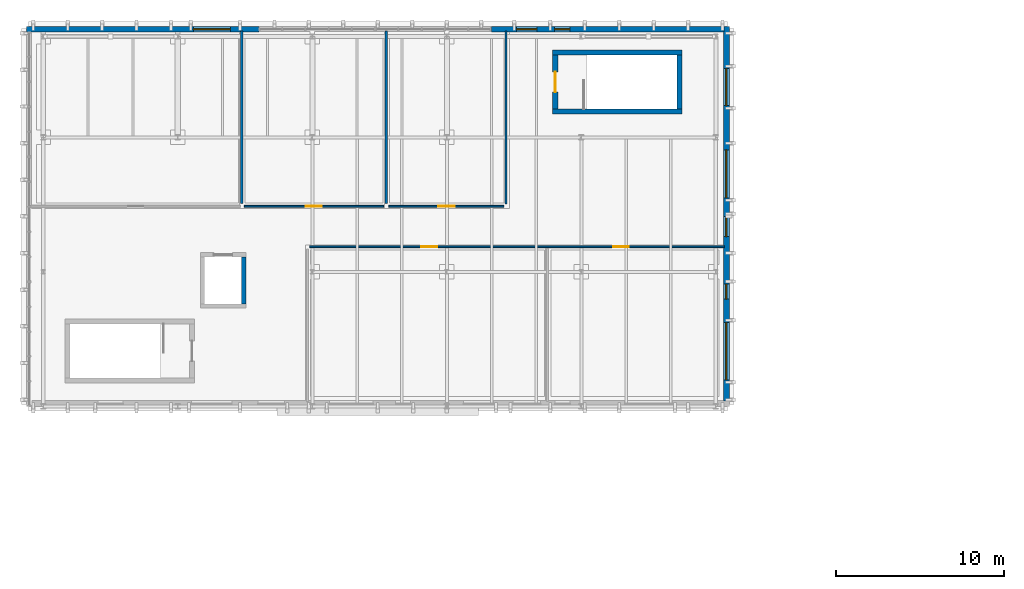
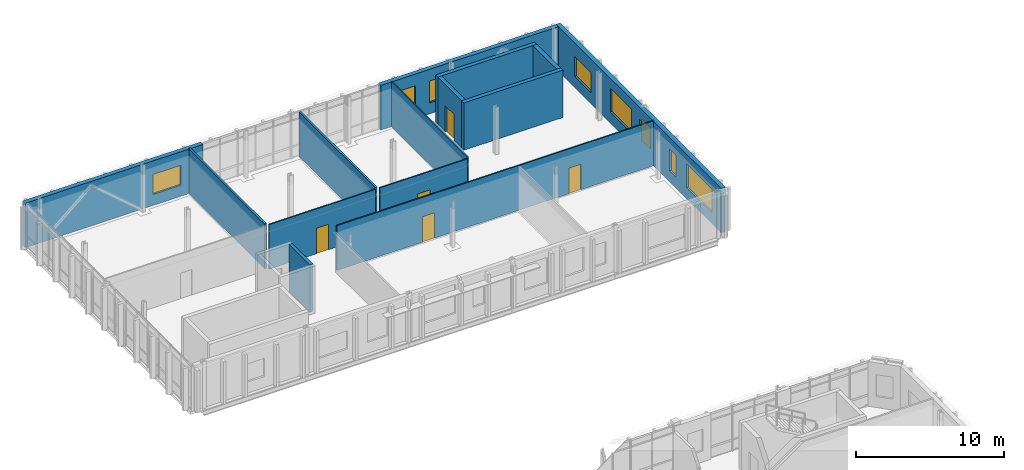
# One storey, part 28 of 40: 14 walls, 8 windows, 5 doors, 13 openings.
"""IFC4 building model written with IfcOpenShell, lengths in metres."""

from ifc_helpers import new_model, si_unit, direction, frame, frame_2d, origin, place, context, subcontext, project, spatial, rectangle, extrude, material, layer, layer_set, type_object, element, fill, save


model = new_model("IFC4")

# Units and contexts
model_context = context("Model", 3, precision=1e-05, world=origin(), true_north=direction((0.0, 1.0)))
body_context = subcontext(model_context, "Body", "Model", "MODEL_VIEW")
ifc_project = project(units=[si_unit("LENGTHUNIT", "METRE"), si_unit("AREAUNIT", "SQUARE_METRE"), si_unit("VOLUMEUNIT", "CUBIC_METRE"), si_unit("PLANEANGLEUNIT", "RADIAN"), si_unit("MASSUNIT", "GRAM", prefix="KILO")], contexts=[model_context])

# Site, building, storey
site_placement = place(None, origin())
site = spatial("IfcSite", under=ifc_project, at=site_placement, CompositionType="ELEMENT")
building_placement = place(site_placement, origin())
building = spatial("IfcBuilding", under=site, at=building_placement, Name="Cymarion Research Institute", CompositionType="ELEMENT")
storey_placement = place(building_placement, frame((0.0, 0.0, 26.699951171875)))
storey = spatial("IfcBuildingStorey", under=building, at=storey_placement, Name="L06", CompositionType="ELEMENT", Elevation=26.699951171875)

# Wall, openings, windows
ifc_material_1 = material(Name="Precast concrete C40/50", Category="concrete")
ifc_layer_1 = layer(ifc_material_1, 0.340087890625)
ifc_layer_set_1 = layer_set([ifc_layer_1], Name="Precast concrete C40/50")
wall_type_1 = type_object("IfcWallType", Name="EXTERIOR WALL EW-PC340 340MM", PredefinedType="SOLIDWALL", material=ifc_layer_set_1)
wall_1_placement = place(storey_placement, frame((47.22998046875, 93.822021484375, 0.0), z_axis=(0.0, 0.0, 1.0), x_axis=(0.0, 1.0, 0.0)))
wall_1 = element("IfcWall", 1, at=wall_1_placement, inside=storey, type_object=wall_type_1, Name="L06 V5 exterior wall EW-PC340 #271", PredefinedType="SOLIDWALL", context=body_context, shape_type="SweptSolid", body=[
    extrude(rectangle(XDim=22.278076171875, YDim=0.340087890625, at=frame_2d((11.13916015625, 0.0))), origin(), (0.0, 0.0, 1.0), 3.66015625),
])
opening_1_placement = place(wall_1_placement, frame((1.259033203125, 0.0, 0.89990234375)))
opening_1 = element("IfcOpeningElement", 2, at=opening_1_placement, cuts=wall_1, Name="Opening W26", PredefinedType="OPENING", context=body_context, shape_type="SweptSolid", body=[
    extrude(rectangle(XDim=3.39990234375, YDim=1.949951171875, at=frame_2d((1.699951171875, 0.97509765625))), frame((0.0, 0.179931640625, 0.0), z_axis=(0.0, -1.0, 0.0), x_axis=(1.0, 0.0, 0.0)), (0.0, 0.0, 1.0), 0.360107421875),
])
opening_2_placement = place(wall_1_placement, frame((6.05810546875, 0.0, 0.89990234375)))
opening_2 = element("IfcOpeningElement", 3, at=opening_2_placement, cuts=wall_1, Name="Opening W24", PredefinedType="OPENING", context=body_context, shape_type="SweptSolid", body=[
    extrude(rectangle(XDim=0.89990234375, YDim=1.800048828125, at=frame_2d((0.449951171875, 0.89990234375))), frame((0.0, 0.179931640625, 0.0), z_axis=(0.0, -1.0, 0.0), x_axis=(1.0, 0.0, 0.0)), (0.0, 0.0, 1.0), 0.360107421875),
])
opening_3_placement = place(wall_1_placement, frame((9.778076171875, 0.0, 0.89990234375)))
opening_3 = element("IfcOpeningElement", 4, at=opening_3_placement, cuts=wall_1, Name="Opening W01", PredefinedType="OPENING", context=body_context, shape_type="SweptSolid", body=[
    extrude(rectangle(XDim=1.199951171875, YDim=1.800048828125, at=frame_2d((0.60009765625, 0.89990234375))), frame((0.0, 0.179931640625, 0.0), z_axis=(0.0, -1.0, 0.0), x_axis=(1.0, 0.0, 0.0)), (0.0, 0.0, 1.0), 0.360107421875),
])
opening_4_placement = place(wall_1_placement, frame((12.0830078125, 0.0, 0.89990234375)))
opening_4 = element("IfcOpeningElement", 5, at=opening_4_placement, cuts=wall_1, Name="Opening W32", PredefinedType="OPENING", context=body_context, shape_type="SweptSolid", body=[
    extrude(rectangle(XDim=2.85009765625, YDim=1.949951171875, at=frame_2d((1.425048828125, 0.97509765625))), frame((0.0, 0.179931640625, 0.0), z_axis=(0.0, -1.0, 0.0), x_axis=(1.0, 0.0, 0.0)), (0.0, 0.0, 1.0), 0.360107421875),
])
opening_5_placement = place(wall_1_placement, frame((17.568115234375, 0.0, 0.89990234375)))
opening_5 = element("IfcOpeningElement", 6, at=opening_5_placement, cuts=wall_1, Name="Opening W34", PredefinedType="OPENING", context=body_context, shape_type="SweptSolid", body=[
    extrude(rectangle(XDim=2.199951171875, YDim=1.64990234375, at=frame_2d((1.10009765625, 0.824951171875))), frame((0.0, 0.179931640625, 0.0), z_axis=(0.0, -1.0, 0.0), x_axis=(1.0, 0.0, 0.0)), (0.0, 0.0, 1.0), 0.360107421875),
])
ifc_material_2 = material(Name="Thermally broken aluminium window with Low-E glazing", Category="aluminium")
window_type_1 = type_object("IfcWindowType", Name="THERMALLY BROKEN ALUMINIUM WINDOW W01 1200X1800", PartitioningType="SINGLE_PANEL", PredefinedType="WINDOW", material=ifc_material_2)
window_1_placement = place(opening_3_placement, origin())
window_1 = element("IfcWindow", 7, at=window_1_placement, inside=storey, type_object=window_type_1, Name="L06 V5 facade window W01 #496", OverallHeight=1.800048828125, OverallWidth=1.199951171875, PartitioningType="SINGLE_PANEL", PredefinedType="WINDOW", context=body_context, shape_type="SweptSolid", body=[
    extrude(rectangle(XDim=1.199951171875, YDim=1.800048828125, at=frame_2d((0.60009765625, 0.89990234375))), frame((0.0, 0.030029296875, 0.0), z_axis=(0.0, -1.0, 0.0), x_axis=(1.0, 0.0, 0.0)), (0.0, 0.0, 1.0), 0.06005859375),
])
fill(opening_3, window_1)
window_type_2 = type_object("IfcWindowType", Name="THERMALLY BROKEN ALUMINIUM WINDOW W24 900X1800", PartitioningType="SINGLE_PANEL", PredefinedType="WINDOW", material=ifc_material_2)
window_2_placement = place(opening_2_placement, origin())
window_2 = element("IfcWindow", 8, at=window_2_placement, inside=storey, type_object=window_type_2, Name="L06 V5 facade window W24 #495", OverallHeight=1.800048828125, OverallWidth=0.89990234375, PartitioningType="SINGLE_PANEL", PredefinedType="WINDOW", context=body_context, shape_type="SweptSolid", body=[
    extrude(rectangle(XDim=0.89990234375, YDim=1.800048828125, at=frame_2d((0.449951171875, 0.89990234375))), frame((0.0, 0.030029296875, 0.0), z_axis=(0.0, -1.0, 0.0), x_axis=(1.0, 0.0, 0.0)), (0.0, 0.0, 1.0), 0.06005859375),
])
fill(opening_2, window_2)
window_type_3 = type_object("IfcWindowType", Name="THERMALLY BROKEN ALUMINIUM WINDOW W26 3400X1950", PartitioningType="TRIPLE_PANEL_VERTICAL", PredefinedType="WINDOW", material=ifc_material_2)
window_3_placement = place(opening_1_placement, origin())
window_3 = element("IfcWindow", 9, at=window_3_placement, inside=storey, type_object=window_type_3, Name="L06 V5 facade window W26 #494", OverallHeight=1.949951171875, OverallWidth=3.39990234375, PartitioningType="SINGLE_PANEL", PredefinedType="WINDOW", context=body_context, shape_type="SweptSolid", body=[
    extrude(rectangle(XDim=3.39990234375, YDim=1.949951171875, at=frame_2d((1.699951171875, 0.97509765625))), frame((0.0, 0.030029296875, 0.0), z_axis=(0.0, -1.0, 0.0), x_axis=(1.0, 0.0, 0.0)), (0.0, 0.0, 1.0), 0.06005859375),
])
fill(opening_1, window_3)
window_type_4 = type_object("IfcWindowType", Name="THERMALLY BROKEN ALUMINIUM WINDOW W32 2850X1950", PartitioningType="TRIPLE_PANEL_VERTICAL", PredefinedType="WINDOW", material=ifc_material_2)
window_4_placement = place(opening_4_placement, origin())
window_4 = element("IfcWindow", 10, at=window_4_placement, inside=storey, type_object=window_type_4, Name="L06 V5 facade window W32 #497", OverallHeight=1.949951171875, OverallWidth=2.85009765625, PartitioningType="SINGLE_PANEL", PredefinedType="WINDOW", context=body_context, shape_type="SweptSolid", body=[
    extrude(rectangle(XDim=2.85009765625, YDim=1.949951171875, at=frame_2d((1.425048828125, 0.97509765625))), frame((0.0, 0.030029296875, 0.0), z_axis=(0.0, -1.0, 0.0), x_axis=(1.0, 0.0, 0.0)), (0.0, 0.0, 1.0), 0.06005859375),
])
fill(opening_4, window_4)
window_type_5 = type_object("IfcWindowType", Name="THERMALLY BROKEN ALUMINIUM WINDOW W34 2200X1650", PartitioningType="DOUBLE_PANEL_VERTICAL", PredefinedType="WINDOW", material=ifc_material_2)
window_5_placement = place(opening_5_placement, origin())
window_5 = element("IfcWindow", 11, at=window_5_placement, inside=storey, type_object=window_type_5, Name="L06 V5 facade window W34 #498", OverallHeight=1.64990234375, OverallWidth=2.199951171875, PartitioningType="SINGLE_PANEL", PredefinedType="WINDOW", context=body_context, shape_type="SweptSolid", body=[
    extrude(rectangle(XDim=2.199951171875, YDim=1.64990234375, at=frame_2d((1.10009765625, 0.824951171875))), frame((0.0, 0.030029296875, 0.0), z_axis=(0.0, -1.0, 0.0), x_axis=(1.0, 0.0, 0.0)), (0.0, 0.0, 1.0), 0.06005859375),
])
fill(opening_5, window_5)

wall_2_placement = place(storey_placement, frame((47.077880859375, 115.929931640625, 0.0), z_axis=(0.0, 0.0, 1.0), x_axis=(-1.0, 0.0, 0.0)))
wall_2 = element("IfcWall", 12, at=wall_2_placement, inside=storey, type_object=wall_type_1, Name="L06 V5 facade pier wall EW-PC340 #272", PredefinedType="SOLIDWALL", context=body_context, shape_type="SweptSolid", body=[
    extrude(rectangle(XDim=13.825927734375, YDim=0.340087890625, at=frame_2d((6.9130859375, 0.0))), origin(), (0.0, 0.0, 1.0), 3.66015625),
])
opening_6_placement = place(wall_2_placement, frame((9.157958984375, 0.0, 0.89990234375)))
opening_6 = element("IfcOpeningElement", 13, at=opening_6_placement, cuts=wall_2, Name="Opening W24", PredefinedType="OPENING", context=body_context, shape_type="SweptSolid", body=[
    extrude(rectangle(XDim=0.89990234375, YDim=1.800048828125, at=frame_2d((0.449951171875, 0.89990234375))), frame((0.0, 0.179931640625, 0.0), z_axis=(0.0, -1.0, 0.0), x_axis=(1.0, 0.0, 0.0)), (0.0, 0.0, 1.0), 0.360107421875),
])
opening_7_placement = place(wall_2_placement, frame((11.117919921875, 0.0, 0.89990234375)))
opening_7 = element("IfcOpeningElement", 14, at=opening_7_placement, cuts=wall_2, Name="Opening W01", PredefinedType="OPENING", context=body_context, shape_type="SweptSolid", body=[
    extrude(rectangle(XDim=1.199951171875, YDim=1.800048828125, at=frame_2d((0.60009765625, 0.89990234375))), frame((0.0, 0.179931640625, 0.0), z_axis=(0.0, -1.0, 0.0), x_axis=(1.0, 0.0, 0.0)), (0.0, 0.0, 1.0), 0.360107421875),
])
window_6_placement = place(opening_7_placement, origin())
window_6 = element("IfcWindow", 15, at=window_6_placement, inside=storey, type_object=window_type_1, Name="L06 V5 facade window W01 #500", OverallHeight=1.800048828125, OverallWidth=1.199951171875, PartitioningType="SINGLE_PANEL", PredefinedType="WINDOW", context=body_context, shape_type="SweptSolid", body=[
    extrude(rectangle(XDim=1.199951171875, YDim=1.800048828125, at=frame_2d((0.60009765625, 0.89990234375))), frame((0.0, 0.030029296875, 0.0), z_axis=(0.0, -1.0, 0.0), x_axis=(1.0, 0.0, 0.0)), (0.0, 0.0, 1.0), 0.06005859375),
])
fill(opening_7, window_6)
window_7_placement = place(opening_6_placement, origin())
window_7 = element("IfcWindow", 16, at=window_7_placement, inside=storey, type_object=window_type_2, Name="L06 V5 facade window W24 #499", OverallHeight=1.800048828125, OverallWidth=0.89990234375, PartitioningType="SINGLE_PANEL", PredefinedType="WINDOW", context=body_context, shape_type="SweptSolid", body=[
    extrude(rectangle(XDim=0.89990234375, YDim=1.800048828125, at=frame_2d((0.449951171875, 0.89990234375))), frame((0.0, 0.030029296875, 0.0), z_axis=(0.0, -1.0, 0.0), x_axis=(1.0, 0.0, 0.0)), (0.0, 0.0, 1.0), 0.06005859375),
])
fill(opening_6, window_7)

# Wall, opening, window
wall_3_placement = place(storey_placement, frame((19.426025390625, 115.929931640625, 0.0), z_axis=(0.0, 0.0, 1.0), x_axis=(-1.0, 0.0, 0.0)))
wall_3 = element("IfcWall", 17, at=wall_3_placement, inside=storey, type_object=wall_type_1, Name="L06 V5 facade pier wall EW-PC340 #273", PredefinedType="SOLIDWALL", context=body_context, shape_type="SweptSolid", body=[
    extrude(rectangle(XDim=13.825927734375, YDim=0.340087890625, at=frame_2d((6.9130859375, 0.0))), origin(), (0.0, 0.0, 1.0), 3.66015625),
])
opening_8_placement = place(wall_3_placement, frame((1.696044921875, 0.0, 0.89990234375)))
opening_8 = element("IfcOpeningElement", 18, at=opening_8_placement, cuts=wall_3, Name="Opening W34", PredefinedType="OPENING", context=body_context, shape_type="SweptSolid", body=[
    extrude(rectangle(XDim=2.199951171875, YDim=1.64990234375, at=frame_2d((1.10009765625, 0.824951171875))), frame((0.0, 0.179931640625, 0.0), z_axis=(0.0, -1.0, 0.0), x_axis=(1.0, 0.0, 0.0)), (0.0, 0.0, 1.0), 0.360107421875),
])
window_8_placement = place(opening_8_placement, origin())
window_8 = element("IfcWindow", 19, at=window_8_placement, inside=storey, type_object=window_type_5, Name="L06 V5 facade window W34 #501", OverallHeight=1.64990234375, OverallWidth=2.199951171875, PartitioningType="SINGLE_PANEL", PredefinedType="WINDOW", context=body_context, shape_type="SweptSolid", body=[
    extrude(rectangle(XDim=2.199951171875, YDim=1.64990234375, at=frame_2d((1.10009765625, 0.824951171875))), frame((0.0, 0.030029296875, 0.0), z_axis=(0.0, -1.0, 0.0), x_axis=(1.0, 0.0, 0.0)), (0.0, 0.0, 1.0), 0.06005859375),
])
fill(opening_8, window_8)

# Walls
ifc_material_3 = material(Name="Gypsum acoustic double-stud partition", Category="gypsum")
ifc_layer_2 = layer(ifc_material_3, 0.14990234375)
ifc_layer_set_2 = layer_set([ifc_layer_2], Name="Gypsum acoustic double-stud partition")
wall_type_2 = type_object("IfcWallType", Name="INTERIOR PARTITION IW-AC150 150MM", PredefinedType="PARTITIONING", material=ifc_layer_set_2)
for number, where, z_axis, x_axis, name in (
    (20, (18.39990234375, 105.56005859375, 0.0), (0.0, 0.0, 1.0), (0.0, 1.0, 0.0), "L06 V5 interior partition IW-AC150 #369"),
    (21, (27.0, 105.56005859375, 0.0), (0.0, 0.0, 1.0), (0.0, 1.0, 0.0), "L06 V5 interior partition IW-AC150 #370"),
):
    element("IfcWall", number, at=place(storey_placement, frame(where, z_axis=z_axis, x_axis=x_axis)), inside=storey, type_object=wall_type_2, Name=name, PredefinedType="PARTITIONING", context=body_context, shape_type="SweptSolid", body=[
        extrude(rectangle(XDim=10.2548828125, YDim=0.14990234375, at=frame_2d((5.12744140625, 0.0))), origin(), (0.0, 0.0, 1.0), 3.679931640625),
    ])

# Wall, openings, doors
ifc_material_4 = material(Name="Framed acoustic glass laboratory screen", Category="glass")
ifc_layer_3 = layer(ifc_material_4, 0.10009765625)
ifc_layer_set_3 = layer_set([ifc_layer_3], Name="Framed acoustic glass laboratory screen")
wall_type_3 = type_object("IfcWallType", Name="INTERIOR PARTITION IW-GL100 100MM", PredefinedType="PARTITIONING", material=ifc_layer_set_3)
wall_4_placement = place(storey_placement, frame((22.43994140625, 103.0, 0.0), z_axis=(0.0, 0.0, 1.0), x_axis=(1.0, 0.0, 0.0)))
wall_4 = element("IfcWall", 22, at=wall_4_placement, inside=storey, type_object=wall_type_3, Name="L06 V5 interior partition IW-GL100 #368", PredefinedType="PARTITIONING", context=body_context, shape_type="SweptSolid", body=[
    extrude(rectangle(XDim=24.675048828125, YDim=0.10009765625, at=frame_2d((12.33740234375, 0.0))), origin(), (0.0, 0.0, 1.0), 3.679931640625),
])
opening_9_placement = place(wall_4_placement, frame((6.64306640625, 0.0, 0.0)))
opening_9 = element("IfcOpeningElement", 23, at=opening_9_placement, cuts=wall_4, Name="Opening D-L06-217", PredefinedType="OPENING", context=body_context, shape_type="SweptSolid", body=[
    extrude(rectangle(XDim=0.949951171875, YDim=2.10009765625, at=frame_2d((0.47509765625, 1.050048828125))), frame((0.0, 0.06005859375, 0.0), z_axis=(0.0, -1.0, 0.0), x_axis=(1.0, 0.0, 0.0)), (0.0, 0.0, 1.0), 0.1201171875),
])
opening_10_placement = place(wall_4_placement, frame((18.069091796875, 0.0, 0.0)))
opening_10 = element("IfcOpeningElement", 24, at=opening_10_placement, cuts=wall_4, Name="Opening D-L06-218", PredefinedType="OPENING", context=body_context, shape_type="SweptSolid", body=[
    extrude(rectangle(XDim=0.89990234375, YDim=2.10009765625, at=frame_2d((0.449951171875, 1.050048828125))), frame((0.0, 0.06005859375, 0.0), z_axis=(0.0, -1.0, 0.0), x_axis=(1.0, 0.0, 0.0)), (0.0, 0.0, 1.0), 0.1201171875),
])
ifc_material_5 = material(Name="Flush acoustic timber/steel door assembly", Category="steel")
door_type_1 = type_object("IfcDoorType", Name="ACCESSIBLE RESTROOM DOOR DT-WC090 900X2100", OperationType="NOTDEFINED", PredefinedType="DOOR", material=ifc_material_5)
door_1_placement = place(opening_10_placement, origin())
door_1 = element("IfcDoor", 25, at=door_1_placement, inside=storey, type_object=door_type_1, Name="L06 Upper V5 WC door D-L06-218", OperationType="SINGLE_SWING_LEFT", OverallHeight=2.10009765625, OverallWidth=0.89990234375, PredefinedType="DOOR", context=body_context, shape_type="SweptSolid", body=[
    extrude(rectangle(XDim=0.89990234375, YDim=2.10009765625, at=frame_2d((0.449951171875, 1.050048828125))), frame((0.0, 0.02490234375, 0.0), z_axis=(0.0, -1.0, 0.0), x_axis=(1.0, 0.0, 0.0)), (0.0, 0.0, 1.0), 0.050048828125),
])
fill(opening_10, door_1)
door_type_2 = type_object("IfcDoorType", Name="FACULTY STUDY DOOR DT-OF095 950X2100", OperationType="NOTDEFINED", PredefinedType="DOOR", material=ifc_material_5)
door_2_placement = place(opening_9_placement, origin())
door_2 = element("IfcDoor", 26, at=door_2_placement, inside=storey, type_object=door_type_2, Name="L06 Terrace Seminar door D-L06-217", OperationType="SINGLE_SWING_RIGHT", OverallHeight=2.10009765625, OverallWidth=0.949951171875, PredefinedType="DOOR", context=body_context, shape_type="SweptSolid", body=[
    extrude(rectangle(XDim=0.949951171875, YDim=2.10009765625, at=frame_2d((0.47509765625, 1.050048828125))), frame((0.0, 0.02490234375, 0.0), z_axis=(0.0, -1.0, 0.0), x_axis=(1.0, 0.0, 0.0)), (0.0, 0.0, 1.0), 0.050048828125),
])
fill(opening_9, door_2)

# Wall
wall_5_placement = place(storey_placement, frame((34.1201171875, 105.5400390625, 0.0), z_axis=(0.0, 0.0, 1.0), x_axis=(0.0, 1.0, 0.0)))
element("IfcWall", 27, at=wall_5_placement, inside=storey, type_object=wall_type_3, Name="L06 V5 interior partition IW-GL100 #371", PredefinedType="PARTITIONING", context=body_context, shape_type="SweptSolid", body=[
    extrude(rectangle(XDim=10.27490234375, YDim=0.10009765625, at=frame_2d((5.137451171875, 0.0))), origin(), (0.0, 0.0, 1.0), 3.679931640625),
])

# Wall, opening, door
wall_6_placement = place(storey_placement, frame((18.56005859375, 105.39990234375, 0.0), z_axis=(0.0, 0.0, 1.0), x_axis=(1.0, 0.0, 0.0)))
wall_6 = element("IfcWall", 28, at=wall_6_placement, inside=storey, type_object=wall_type_3, Name="L06 V5 interior partition IW-GL100 #373", PredefinedType="PARTITIONING", context=body_context, shape_type="SweptSolid", body=[
    extrude(rectangle(XDim=8.280029296875, YDim=0.10009765625, at=frame_2d((4.14013671875, 0.0))), origin(), (0.0, 0.0, 1.0), 3.679931640625),
])
opening_11_placement = place(wall_6_placement, frame((3.6650390625, 0.0, 0.0)))
opening_11 = element("IfcOpeningElement", 29, at=opening_11_placement, cuts=wall_6, Name="Opening D-L06-220", PredefinedType="OPENING", context=body_context, shape_type="SweptSolid", body=[
    extrude(rectangle(XDim=0.949951171875, YDim=2.10009765625, at=frame_2d((0.47509765625, 1.050048828125))), frame((0.0, 0.06005859375, 0.0), z_axis=(0.0, -1.0, 0.0), x_axis=(1.0, 0.0, 0.0)), (0.0, 0.0, 1.0), 0.1201171875),
])
door_3_placement = place(opening_11_placement, origin())
door_3 = element("IfcDoor", 30, at=door_3_placement, inside=storey, type_object=door_type_2, Name="L06 Postdoc Write-Up door D-L06-220", OperationType="SINGLE_SWING_LEFT", OverallHeight=2.10009765625, OverallWidth=0.949951171875, PredefinedType="DOOR", context=body_context, shape_type="SweptSolid", body=[
    extrude(rectangle(XDim=0.949951171875, YDim=2.10009765625, at=frame_2d((0.47509765625, 1.050048828125))), frame((0.0, 0.02490234375, 0.0), z_axis=(0.0, -1.0, 0.0), x_axis=(1.0, 0.0, 0.0)), (0.0, 0.0, 1.0), 0.050048828125),
])
fill(opening_11, door_3)

wall_7_placement = place(storey_placement, frame((27.159912109375, 105.39990234375, 0.0), z_axis=(0.0, 0.0, 1.0), x_axis=(1.0, 0.0, 0.0)))
wall_7 = element("IfcWall", 31, at=wall_7_placement, inside=storey, type_object=wall_type_3, Name="L06 V5 interior partition IW-GL100 #374", PredefinedType="PARTITIONING", context=body_context, shape_type="SweptSolid", body=[
    extrude(rectangle(XDim=6.840087890625, YDim=0.10009765625, at=frame_2d((3.419921875, 0.0))), origin(), (0.0, 0.0, 1.0), 3.679931640625),
])
opening_12_placement = place(wall_7_placement, frame((2.919921875, 0.0, 0.0)))
opening_12 = element("IfcOpeningElement", 32, at=opening_12_placement, cuts=wall_7, Name="Opening D-L06-221", PredefinedType="OPENING", context=body_context, shape_type="SweptSolid", body=[
    extrude(rectangle(XDim=1.0, YDim=2.14990234375, at=frame_2d((0.5, 1.074951171875))), frame((0.0, 0.06005859375, 0.0), z_axis=(0.0, -1.0, 0.0), x_axis=(1.0, 0.0, 0.0)), (0.0, 0.0, 1.0), 0.1201171875),
])
door_type_3 = type_object("IfcDoorType", Name="LABORATORY SINGLE LEAF DOOR DT-LB100 1000X2150", OperationType="NOTDEFINED", PredefinedType="DOOR", material=ifc_material_5)
door_4_placement = place(opening_12_placement, origin())
door_4 = element("IfcDoor", 33, at=door_4_placement, inside=storey, type_object=door_type_3, Name="L06 AI Visualization Lab door D-L06-221", OperationType="SINGLE_SWING_RIGHT", OverallHeight=2.14990234375, OverallWidth=1.0, PredefinedType="DOOR", context=body_context, shape_type="SweptSolid", body=[
    extrude(rectangle(XDim=1.0, YDim=2.14990234375, at=frame_2d((0.5, 1.074951171875))), frame((0.0, 0.02490234375, 0.0), z_axis=(0.0, -1.0, 0.0), x_axis=(1.0, 0.0, 0.0)), (0.0, 0.0, 1.0), 0.050048828125),
])
fill(opening_12, door_4)

# Walls
ifc_material_6 = material(Name="Concrete C40/50", Category="concrete")
ifc_layer_4 = layer(ifc_material_6, 0.25)
ifc_layer_set_4 = layer_set([ifc_layer_4], Name="Concrete C40/50")
wall_type_4 = type_object("IfcWallType", Name="REINFORCED CONCRETE CORE WALL CW-SH250 250MM", PredefinedType="SHEAR", material=ifc_layer_set_4)
wall_8_placement = place(storey_placement, frame((18.52490234375, 99.60009765625, 0.0), z_axis=(0.0, 0.0, 1.0), x_axis=(0.0, 1.0, 0.0)))
element("IfcWall", 34, at=wall_8_placement, inside=storey, type_object=wall_type_4, Name="L06 LSH-LP5-L06 east core wall", PredefinedType="SHEAR", context=body_context, shape_type="SweptSolid", body=[
    extrude(rectangle(XDim=2.7998046875, YDim=0.25, at=frame_2d((1.39990234375, 0.0))), origin(), (0.0, 0.0, 1.0), 3.900146484375),
])
ifc_layer_5 = layer(ifc_material_6, 0.300048828125)
ifc_layer_set_5 = layer_set([ifc_layer_5], Name="Concrete C40/50")
wall_type_5 = type_object("IfcWallType", Name="REINFORCED CONCRETE CORE WALL CW-SH300 300MM", PredefinedType="SHEAR", material=ifc_layer_set_5)
for number, where, z_axis, x_axis, name in (
    (35, (36.89990234375, 111.050048828125, 0.0), (0.0, 0.0, 1.0), (1.0, 0.0, 0.0), "L06 SHW-C10-L06 south core wall"),
    (36, (44.60009765625, 114.550048828125, 0.0), (0.0, 0.0, 1.0), (-1.0, 0.0, 0.0), "L06 SHW-C10-L06 north core wall"),
):
    element("IfcWall", number, at=place(storey_placement, frame(where, z_axis=z_axis, x_axis=x_axis)), inside=storey, type_object=wall_type_5, Name=name, PredefinedType="SHEAR", context=body_context, shape_type="SweptSolid", body=[
        extrude(rectangle(XDim=7.7001953125, YDim=0.300048828125, at=frame_2d((3.85009765625, 0.0))), origin(), (0.0, 0.0, 1.0), 3.900146484375),
    ])

# Wall, opening, door
wall_9_placement = place(storey_placement, frame((37.050048828125, 114.39990234375, 0.0), z_axis=(0.0, 0.0, 1.0), x_axis=(0.0, -1.0, 0.0)))
wall_9 = element("IfcWall", 37, at=wall_9_placement, inside=storey, type_object=wall_type_5, Name="L06 SHW-C10-L06 west core wall", PredefinedType="SHEAR", context=body_context, shape_type="SweptSolid", body=[
    extrude(rectangle(XDim=3.199951171875, YDim=0.300048828125, at=frame_2d((1.60009765625, 0.0))), origin(), (0.0, 0.0, 1.0), 3.900146484375),
])
opening_13_placement = place(wall_9_placement, frame((1.0, 0.0, 0.0)))
opening_13 = element("IfcOpeningElement", 38, at=opening_13_placement, cuts=wall_9, Name="Opening FD-L06-ST10", PredefinedType="OPENING", context=body_context, shape_type="SweptSolid", body=[
    extrude(rectangle(XDim=1.199951171875, YDim=2.14990234375, at=frame_2d((0.60009765625, 1.074951171875))), frame((0.0, 0.159912109375, 0.0), z_axis=(0.0, -1.0, 0.0), x_axis=(1.0, 0.0, 0.0)), (0.0, 0.0, 1.0), 0.320068359375),
])
ifc_material_7 = material(Name="Fire-rated insulated steel door assembly", Category="steel")
door_type_4 = type_object("IfcDoorType", Name="SMOKE PROOF STAIR FIRE DOOR DT-ST120 1200X2150", OperationType="NOTDEFINED", PredefinedType="DOOR", material=ifc_material_7)
door_5_placement = place(opening_13_placement, origin())
door_5 = element("IfcDoor", 39, at=door_5_placement, inside=storey, type_object=door_type_4, Name="L06 ST10 smoke-proof stair door FD-L06-ST10", OperationType="SINGLE_SWING_LEFT", OverallHeight=2.14990234375, OverallWidth=1.199951171875, PredefinedType="DOOR", context=body_context, shape_type="SweptSolid", body=[
    extrude(rectangle(XDim=1.199951171875, YDim=2.14990234375, at=frame_2d((0.60009765625, 1.074951171875))), frame((0.0, 0.02490234375, 0.0), z_axis=(0.0, -1.0, 0.0), x_axis=(1.0, 0.0, 0.0)), (0.0, 0.0, 1.0), 0.050048828125),
])
fill(opening_13, door_5)

# Wall
wall_10_placement = place(storey_placement, frame((44.449951171875, 111.199951171875, 0.0), z_axis=(0.0, 0.0, 1.0), x_axis=(0.0, 1.0, 0.0)))
element("IfcWall", 40, at=wall_10_placement, inside=storey, type_object=wall_type_5, Name="L06 SHW-C10-L06 east core wall", PredefinedType="SHEAR", context=body_context, shape_type="SweptSolid", body=[
    extrude(rectangle(XDim=3.199951171875, YDim=0.300048828125, at=frame_2d((1.60009765625, 0.0))), origin(), (0.0, 0.0, 1.0), 3.900146484375),
])

save(model, "model.ifc")
